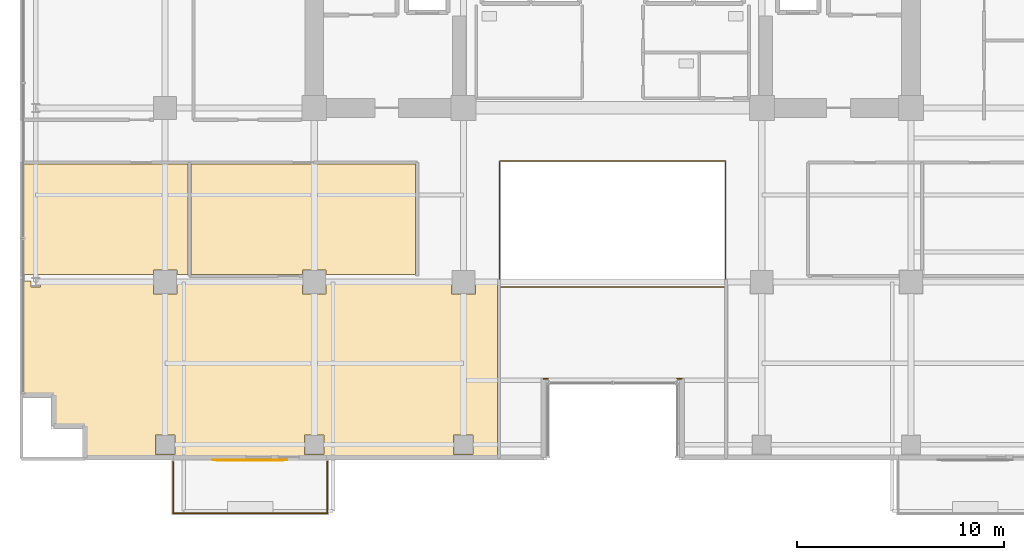
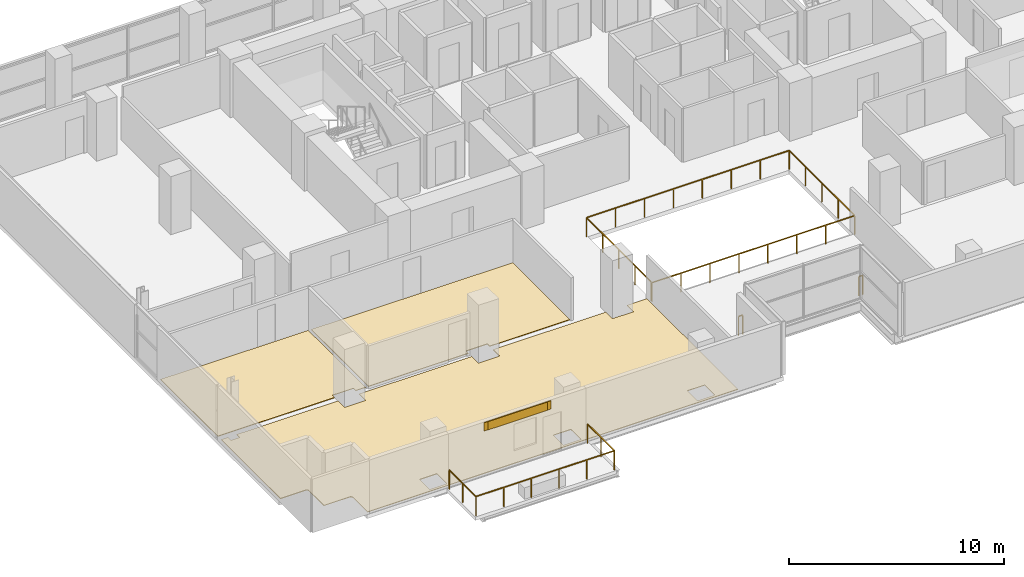
# One storey, part 23 of 27: 4 coverings, 4 railings, 1 shading device.
"""IFC4 building model written with IfcOpenShell, lengths in metres."""

from ifc_helpers import new_model, si_unit, direction, frame, origin, origin_2d, place, context, subcontext, project, spatial, polyline, rectangle, outline, extrude, source, transform, mapped, material, layer, layer_set, type_object, element, save


model = new_model("IFC4")

# Units and contexts
model_context = context("Model", 3, precision=1e-05, world=origin(), true_north=direction((0.0, 1.0)))
body_context = subcontext(model_context, "Body", "Model", "MODEL_VIEW")
ifc_project = project(units=[si_unit("LENGTHUNIT", "METRE"), si_unit("AREAUNIT", "SQUARE_METRE"), si_unit("VOLUMEUNIT", "CUBIC_METRE"), si_unit("PLANEANGLEUNIT", "RADIAN"), si_unit("MASSUNIT", "GRAM", prefix="KILO")], contexts=[model_context])

# Site, building, storey
site_placement = place(None, origin())
site = spatial("IfcSite", under=ifc_project, at=site_placement, CompositionType="ELEMENT")
building_placement = place(site_placement, origin())
building = spatial("IfcBuilding", under=site, at=building_placement, Name="Zarnakvel Exchange Tower", CompositionType="ELEMENT")
storey_placement = place(building_placement, frame((0.0, 0.0, 76.89990234375)))
storey = spatial("IfcBuildingStorey", under=building, at=storey_placement, Name="L21", CompositionType="ELEMENT", Elevation=76.89990234375)

# Coverings
ifc_material_1 = material(Name="Heavy-Duty Raised Access Floor Panel", Category="steel")
ifc_layer_1 = layer(ifc_material_1, 0.034912109375)
ifc_layer_set_1 = layer_set([ifc_layer_1], Name="Heavy-Duty Raised Access Floor Panel")
covering_type_1 = type_object("IfcCoveringType", Name="FLR-02", PredefinedType="FLOORING", material=ifc_layer_set_1)
covering_1_placement = place(storey_placement, origin())
element("IfcCovering", 1, at=covering_1_placement, inside=storey, type_object=covering_type_1, Name="L21 Floor Finish (Sovereign Wealth Office)", PredefinedType="FLOORING", context=body_context, shape_type="SweptSolid", body=[
    extrude(outline(polyline([(-28.449951171875, -3.909912109375), (-20.504638671875, -3.909912109375), (-20.504638671875, -9.239990234375), (-21.030029296875, -9.239990234375), (-21.030029296875, -9.030029296875), (-22.169921875, -9.030029296875), (-22.169921875, -9.239990234375), (-28.449951171875, -9.239990234375), (-28.449951171875, -3.909912109375)])), origin(), (0.0, 0.0, 1.0), 0.03515625),
])
covering_2_placement = place(storey_placement, origin())
element("IfcCovering", 2, at=covering_2_placement, inside=storey, type_object=covering_type_1, Name="L21 Floor Finish (Corporate Advisory Suite)", PredefinedType="FLOORING", context=body_context, shape_type="SweptSolid", body=[
    extrude(outline(polyline([(-20.344482421875, -3.909912109375), (-9.510009765625, -3.909912109375), (-9.510009765625, -9.239990234375), (-13.830078125, -9.239990234375), (-13.830078125, -9.030029296875), (-14.969970703125, -9.030029296875), (-14.969970703125, -9.239990234375), (-20.344482421875, -9.239990234375), (-20.344482421875, -3.909912109375)])), origin(), (0.0, 0.0, 1.0), 0.03515625),
])
covering_3_placement = place(storey_placement, origin())
element("IfcCovering", 3, at=covering_3_placement, inside=storey, type_object=covering_type_1, Name="L21 Floor Finish (Sovereign Wealth Office)", PredefinedType="FLOORING", context=body_context, shape_type="SweptSolid", body=[
    extrude(outline(polyline([(-28.075927734375, -9.56005859375), (-28.075927734375, -9.83251953125), (-27.6240234375, -9.83251953125), (-27.6240234375, -9.56005859375), (-22.169921875, -9.56005859375), (-22.169921875, -10.169921875), (-21.030029296875, -10.169921875), (-21.030029296875, -9.56005859375), (-14.969970703125, -9.56005859375), (-14.969970703125, -10.169921875), (-13.830078125, -10.169921875), (-13.830078125, -9.56005859375), (-7.77001953125, -9.56005859375), (-7.77001953125, -10.169921875), (-6.6298828125, -10.169921875), (-6.6298828125, -9.56005859375), (-5.56005859375, -9.56005859375), (-5.56005859375, -18.050048828125), (-25.47998046875, -18.050048828125), (-25.47998046875, -16.699951171875), (-25.48046875, -16.688232421875), (-25.482421875, -16.676513671875), (-25.485107421875, -16.665283203125), (-25.489013671875, -16.654052734375), (-25.494140625, -16.643310546875), (-25.500244140625, -16.63330078125), (-25.50732421875, -16.623779296875), (-25.51513671875, -16.615234375), (-25.52392578125, -16.607177734375), (-25.533447265625, -16.600341796875), (-25.54345703125, -16.59423828125), (-25.55419921875, -16.589111328125), (-25.565185546875, -16.585205078125), (-25.57666015625, -16.582275390625), (-25.588134765625, -16.58056640625), (-25.60009765625, -16.580078125), (-26.97998046875, -16.580078125), (-26.97998046875, -15.199951171875), (-26.98046875, -15.188232421875), (-26.982421875, -15.176513671875), (-26.985107421875, -15.165283203125), (-26.989013671875, -15.154052734375), (-26.994140625, -15.143310546875), (-27.000244140625, -15.13330078125), (-27.00732421875, -15.123779296875), (-27.01513671875, -15.115234375), (-27.02392578125, -15.107177734375), (-27.033447265625, -15.100341796875), (-27.04345703125, -15.09423828125), (-27.05419921875, -15.089111328125), (-27.065185546875, -15.085205078125), (-27.07666015625, -15.082275390625), (-27.088134765625, -15.08056640625), (-27.10009765625, -15.080078125), (-28.449951171875, -15.080078125), (-28.449951171875, -9.56005859375), (-28.075927734375, -9.56005859375)]), holes=[polyline([(-6.72998046875, -17.919921875), (-6.72998046875, -16.97998046875), (-7.669921875, -16.97998046875), (-7.669921875, -17.919921875), (-6.72998046875, -17.919921875)]), polyline([(-13.929931640625, -17.919921875), (-13.929931640625, -16.97998046875), (-14.8701171875, -16.97998046875), (-14.8701171875, -17.919921875), (-13.929931640625, -17.919921875)]), polyline([(-21.1298828125, -17.919921875), (-21.1298828125, -16.97998046875), (-22.070068359375, -16.97998046875), (-22.070068359375, -17.919921875), (-21.1298828125, -17.919921875)])]), origin(), (0.0, 0.0, 1.0), 0.03515625),
])

# Railings
ifc_material_2 = material(Name="Architectural Bronze Anodised Aluminium", Category="aluminium")
railing_type_1 = type_object("IfcRailingType", Name="GR-02", PredefinedType="GUARDRAIL", material=ifc_material_2)
railing_1_placement = place(storey_placement, frame((-21.219970703125, -18.280029296875, -0.034912109375)))
element("IfcRailing", 4, at=railing_1_placement, inside=storey, type_object=railing_type_1, Name="L21 Balcony Guardrail BAL-L21-SW", PredefinedType="GUARDRAIL", context=body_context, shape_type="SweptSolid", body=[
    extrude(rectangle(XDim=0.048095703125, YDim=0.048095703125, at=origin_2d()), frame((0.0, 0.0, 1.09619140625), z_axis=(0.0, -1.0, 0.0), x_axis=(1.0, 0.0, 0.0)), (0.0, 0.0, 1.0), 2.489990234375),
    extrude(rectangle(XDim=0.048095703125, YDim=0.048095703125, at=origin_2d()), frame((0.0, -2.489990234375, 1.09619140625), z_axis=(1.0, 0.0, 0.0), x_axis=(0.0, 1.0, 0.0)), (0.0, 0.0, 1.0), 7.43994140625),
    extrude(rectangle(XDim=0.048095703125, YDim=0.048095703125, at=origin_2d()), frame((7.43994140625, -2.489990234375, 1.09619140625), z_axis=(0.0, 1.0, 0.0), x_axis=(-1.0, 0.0, 0.0)), (0.0, 0.0, 1.0), 2.489990234375),
    extrude(rectangle(XDim=0.0419921875, YDim=0.0419921875, at=origin_2d()), origin(), (0.0, 0.0, 1.0), 1.072021484375),
    extrude(rectangle(XDim=0.0419921875, YDim=0.0419921875, at=origin_2d()), frame((0.0, -1.2451171875, 0.0)), (0.0, 0.0, 1.0), 1.072021484375),
    extrude(rectangle(XDim=0.0419921875, YDim=0.0419921875, at=origin_2d()), frame((0.0, -2.489990234375, 0.0)), (0.0, 0.0, 1.0), 1.072021484375),
    extrude(rectangle(XDim=0.0419921875, YDim=0.0419921875, at=origin_2d()), frame((1.488037109375, -2.489990234375, 0.0)), (0.0, 0.0, 1.0), 1.072021484375),
    extrude(rectangle(XDim=0.0419921875, YDim=0.0419921875, at=origin_2d()), frame((2.97607421875, -2.489990234375, 0.0)), (0.0, 0.0, 1.0), 1.072021484375),
    extrude(rectangle(XDim=0.0419921875, YDim=0.0419921875, at=origin_2d()), frame((4.4638671875, -2.489990234375, 0.0)), (0.0, 0.0, 1.0), 1.072021484375),
    extrude(rectangle(XDim=0.0419921875, YDim=0.0419921875, at=origin_2d()), frame((5.951904296875, -2.489990234375, 0.0)), (0.0, 0.0, 1.0), 1.072021484375),
    extrude(rectangle(XDim=0.0419921875, YDim=0.0419921875, at=origin_2d()), frame((7.43994140625, -2.489990234375, 0.0)), (0.0, 0.0, 1.0), 1.072021484375),
    extrude(rectangle(XDim=0.0419921875, YDim=0.0419921875, at=origin_2d()), frame((7.43994140625, -1.2451171875, 0.0)), (0.0, 0.0, 1.0), 1.072021484375),
    extrude(rectangle(XDim=0.0419921875, YDim=0.0419921875, at=origin_2d()), frame((7.43994140625, 0.0, 0.0)), (0.0, 0.0, 1.0), 1.072021484375),
])
for number, where, name in (
    (5, (3.340087890625, -14.260009765625, 0.0), "L21 Corner Spandrel Balustrade #18"),
    (6, (-3.1201171875, -14.260009765625, 0.0), "L21 Corner Spandrel Balustrade #19"),
):
    element("IfcRailing", number, at=place(storey_placement, frame(where)), inside=storey, type_object=railing_type_1, Name=name, PredefinedType="GUARDRAIL", context=body_context, shape_type="SweptSolid", body=[
        extrude(rectangle(XDim=0.048095703125, YDim=0.048095703125, at=origin_2d()), frame((0.0, 0.0, 1.09619140625), z_axis=(-1.0, 0.0, 0.0), x_axis=(0.0, -1.0, 0.0)), (0.0, 0.0, 1.0), 0.219970703125),
        extrude(rectangle(XDim=0.0419921875, YDim=0.0419921875, at=origin_2d()), origin(), (0.0, 0.0, 1.0), 1.072021484375),
        extrude(rectangle(XDim=0.0419921875, YDim=0.0419921875, at=origin_2d()), frame((-0.219970703125, 0.0, 0.0)), (0.0, 0.0, 1.0), 1.072021484375),
    ])
railing_type_2 = type_object("IfcRailingType", Name="GR-03", PredefinedType="GUARDRAIL", material=ifc_material_2)
railing_2_placement = place(storey_placement, frame((-5.449951171875, -9.85009765625, 0.0)))
element("IfcRailing", 7, at=railing_2_placement, inside=storey, type_object=railing_type_2, Name="L21 Atrium Void Perimeter Balustrade", PredefinedType="GUARDRAIL", context=body_context, shape_type="SweptSolid", body=[
    extrude(rectangle(XDim=0.048095703125, YDim=0.048095703125, at=origin_2d()), frame((0.0, 0.0, 1.076171875), z_axis=(1.0, 0.0, 0.0), x_axis=(0.0, 1.0, 0.0)), (0.0, 0.0, 1.0), 10.89990234375),
    extrude(rectangle(XDim=0.048095703125, YDim=0.048095703125, at=origin_2d()), frame((10.89990234375, 0.0, 1.076171875), z_axis=(0.0, 1.0, 0.0), x_axis=(-1.0, 0.0, 0.0)), (0.0, 0.0, 1.0), 6.10009765625),
    extrude(rectangle(XDim=0.048095703125, YDim=0.048095703125, at=origin_2d()), frame((10.89990234375, 6.10009765625, 1.076171875), z_axis=(-1.0, 0.0, 0.0), x_axis=(0.0, -1.0, 0.0)), (0.0, 0.0, 1.0), 10.89990234375),
    extrude(rectangle(XDim=0.048095703125, YDim=0.048095703125, at=origin_2d()), frame((0.0, 6.10009765625, 1.076171875), z_axis=(0.0, -1.0, 0.0), x_axis=(1.0, 0.0, 0.0)), (0.0, 0.0, 1.0), 6.02001953125),
    extrude(rectangle(XDim=0.0419921875, YDim=0.0419921875, at=origin_2d()), origin(), (0.0, 0.0, 1.0), 1.052001953125),
    extrude(rectangle(XDim=0.0419921875, YDim=0.0419921875, at=origin_2d()), frame((1.55712890625, 0.0, 0.0)), (0.0, 0.0, 1.0), 1.052001953125),
    extrude(rectangle(XDim=0.0419921875, YDim=0.0419921875, at=origin_2d()), frame((3.1142578125, 0.0, 0.0)), (0.0, 0.0, 1.0), 1.052001953125),
    extrude(rectangle(XDim=0.0419921875, YDim=0.0419921875, at=origin_2d()), frame((4.67138671875, 0.0, 0.0)), (0.0, 0.0, 1.0), 1.052001953125),
    extrude(rectangle(XDim=0.0419921875, YDim=0.0419921875, at=origin_2d()), frame((6.228515625, 0.0, 0.0)), (0.0, 0.0, 1.0), 1.052001953125),
    extrude(rectangle(XDim=0.0419921875, YDim=0.0419921875, at=origin_2d()), frame((7.78564453125, 0.0, 0.0)), (0.0, 0.0, 1.0), 1.052001953125),
    extrude(rectangle(XDim=0.0419921875, YDim=0.0419921875, at=origin_2d()), frame((9.3427734375, 0.0, 0.0)), (0.0, 0.0, 1.0), 1.052001953125),
    extrude(rectangle(XDim=0.0419921875, YDim=0.0419921875, at=origin_2d()), frame((10.89990234375, 0.0, 0.0)), (0.0, 0.0, 1.0), 1.052001953125),
    extrude(rectangle(XDim=0.0419921875, YDim=0.0419921875, at=origin_2d()), frame((10.89990234375, 1.52490234375, 0.0)), (0.0, 0.0, 1.0), 1.052001953125),
    extrude(rectangle(XDim=0.0419921875, YDim=0.0419921875, at=origin_2d()), frame((10.89990234375, 3.050048828125, 0.0)), (0.0, 0.0, 1.0), 1.052001953125),
    extrude(rectangle(XDim=0.0419921875, YDim=0.0419921875, at=origin_2d()), frame((10.89990234375, 4.5751953125, 0.0)), (0.0, 0.0, 1.0), 1.052001953125),
    extrude(rectangle(XDim=0.0419921875, YDim=0.0419921875, at=origin_2d()), frame((10.89990234375, 6.10009765625, 0.0)), (0.0, 0.0, 1.0), 1.052001953125),
    extrude(rectangle(XDim=0.0419921875, YDim=0.0419921875, at=origin_2d()), frame((9.3427734375, 6.10009765625, 0.0)), (0.0, 0.0, 1.0), 1.052001953125),
    extrude(rectangle(XDim=0.0419921875, YDim=0.0419921875, at=origin_2d()), frame((7.78564453125, 6.10009765625, 0.0)), (0.0, 0.0, 1.0), 1.052001953125),
    extrude(rectangle(XDim=0.0419921875, YDim=0.0419921875, at=origin_2d()), frame((6.228515625, 6.10009765625, 0.0)), (0.0, 0.0, 1.0), 1.052001953125),
    extrude(rectangle(XDim=0.0419921875, YDim=0.0419921875, at=origin_2d()), frame((4.67138671875, 6.10009765625, 0.0)), (0.0, 0.0, 1.0), 1.052001953125),
    extrude(rectangle(XDim=0.0419921875, YDim=0.0419921875, at=origin_2d()), frame((3.1142578125, 6.10009765625, 0.0)), (0.0, 0.0, 1.0), 1.052001953125),
    extrude(rectangle(XDim=0.0419921875, YDim=0.0419921875, at=origin_2d()), frame((1.55712890625, 6.10009765625, 0.0)), (0.0, 0.0, 1.0), 1.052001953125),
    extrude(rectangle(XDim=0.0419921875, YDim=0.0419921875, at=origin_2d()), frame((0.0, 6.10009765625, 0.0)), (0.0, 0.0, 1.0), 1.052001953125),
    extrude(rectangle(XDim=0.0419921875, YDim=0.0419921875, at=origin_2d()), frame((0.0, 4.59521484375, 0.0)), (0.0, 0.0, 1.0), 1.052001953125),
    extrude(rectangle(XDim=0.0419921875, YDim=0.0419921875, at=origin_2d()), frame((0.0, 3.090087890625, 0.0)), (0.0, 0.0, 1.0), 1.052001953125),
    extrude(rectangle(XDim=0.0419921875, YDim=0.0419921875, at=origin_2d()), frame((0.0, 1.5849609375, 0.0)), (0.0, 0.0, 1.0), 1.052001953125),
    extrude(rectangle(XDim=0.0419921875, YDim=0.0419921875, at=origin_2d()), frame((0.0, 0.080078125, 0.0)), (0.0, 0.0, 1.0), 1.052001953125),
])

# Covering
ifc_material_3 = material(Name="Warm Sandstone Terracotta Spandrel Tile", Category="masonry")
ifc_layer_2 = layer(ifc_material_3, 0.031982421875)
ifc_layer_set_2 = layer_set([ifc_layer_2], Name="Warm Sandstone Terracotta Spandrel Tile")
covering_type_2 = type_object("IfcCoveringType", Name="CL-02", PredefinedType="CLADDING", material=ifc_layer_set_2)
shared_shape_1 = source(origin(), body_context, "Body", "SweptSolid", [
    extrude(rectangle(XDim=3.60009765625, YDim=0.031982421875, at=origin_2d()), origin(), (0.0, 0.0, 1.0), 0.469970703125),
])
covering_4_placement = place(storey_placement, frame((-17.5, -18.194091796875, 2.56005859375), z_axis=(0.0, 0.0, 1.0), x_axis=(-1.0, 0.0, 0.0)))
element("IfcCovering", 8, at=covering_4_placement, inside=storey, type_object=covering_type_2, Name="L21 Ceramic Spandrel Tilework CL-02", PredefinedType="CLADDING", context=body_context, shape_type="MappedRepresentation", body=[
    mapped(shared_shape_1, transform((0.0, 0.0, 0.0), x_axis=(1.0, 0.0, 0.0), y_axis=(0.0, 1.0, 0.0), z_axis=(0.0, 0.0, 1.0), scale=1.0)),
])

# Shading device
ifc_material_4 = material(Name="Perforated Architectural Bronze Screen", Category="aluminium")
ifc_layer_3 = layer(ifc_material_4, 0.044921875)
ifc_layer_set_3 = layer_set([ifc_layer_3], Name="Perforated Architectural Bronze Screen")
shading_device_type = type_object("IfcShadingDeviceType", Name="SS-01", PredefinedType="JALOUSIE", material=ifc_layer_set_3)
shared_shape_2 = source(origin(), body_context, "Body", "SweptSolid", [
    extrude(rectangle(XDim=3.199951171875, YDim=0.044921875, at=origin_2d()), origin(), (0.0, 0.0, 1.0), 0.469970703125),
])
shading_device_placement = place(storey_placement, frame((-17.5, -18.200439453125, 2.56005859375), z_axis=(0.0, 0.0, 1.0), x_axis=(-1.0, 0.0, 0.0)))
element("IfcShadingDevice", 9, at=shading_device_placement, inside=storey, type_object=shading_device_type, Name="L21 Bronze Solar Shading Screen SS-01", PredefinedType="JALOUSIE", context=body_context, shape_type="MappedRepresentation", body=[
    mapped(shared_shape_2, transform((0.0, 0.0, 0.0), x_axis=(1.0, 0.0, 0.0), y_axis=(0.0, 1.0, 0.0), z_axis=(0.0, 0.0, 1.0), scale=1.0)),
])

save(model, "model.ifc")
